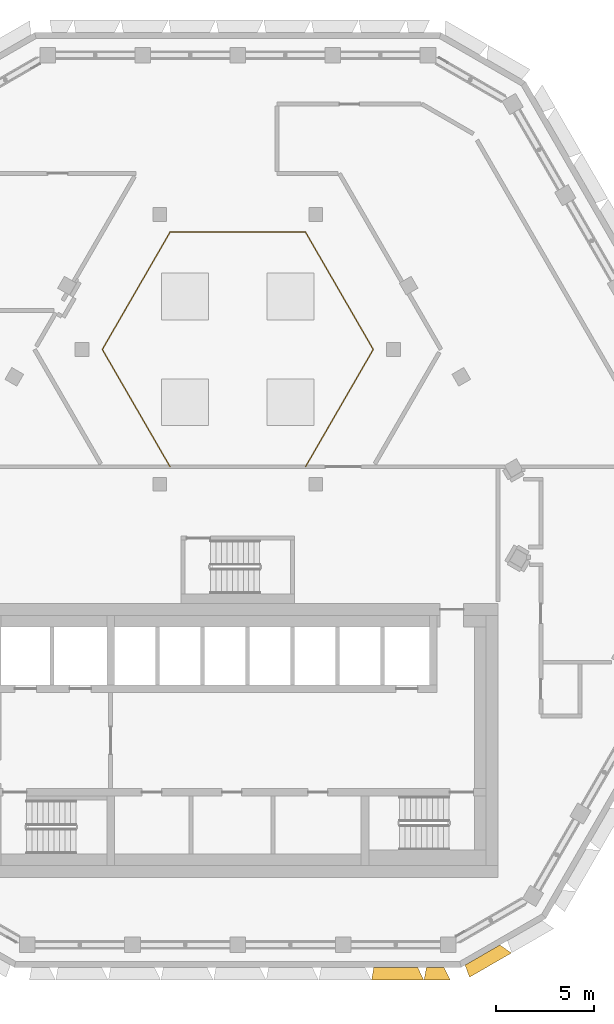
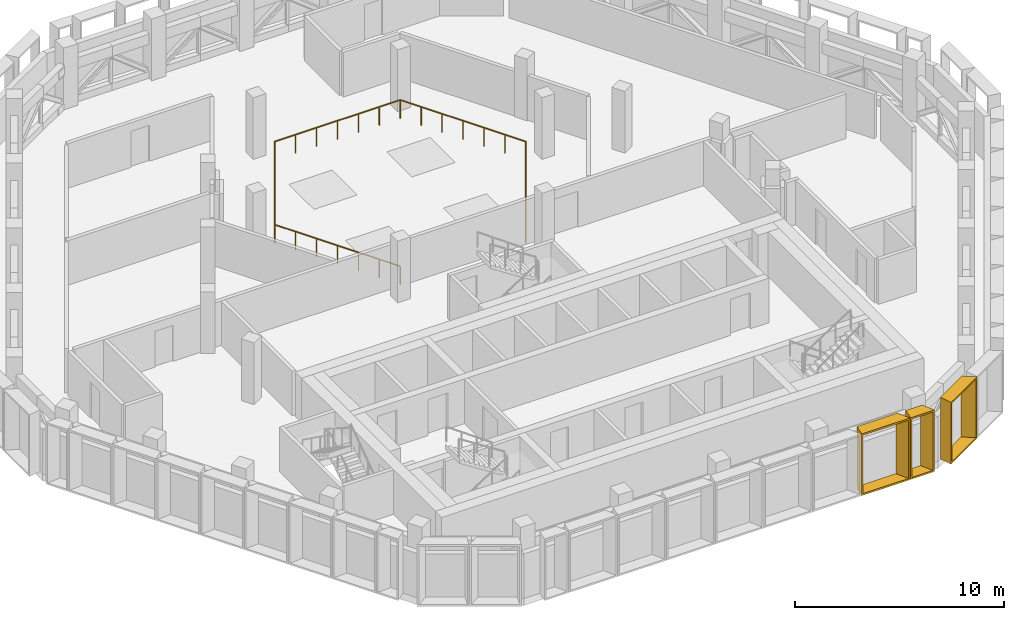
# One storey, part 22 of 24: 3 shading devices, 1 railing.
"""IFC4 building model written with IfcOpenShell, lengths in metres."""

from ifc_helpers import new_model, entity, si_unit, direction, frame, origin, origin_2d, place, context, subcontext, project, spatial, rectangle, extrude, source, transform, mapped, material, type_object, type_shapes, element, save


model = new_model("IFC4")

# Units and contexts
model_context = context("Model", 3, precision=1e-05, world=origin(), true_north=direction((0.0, 1.0)))
body_context = subcontext(model_context, "Body", "Model", "MODEL_VIEW")
ifc_project = project(units=[si_unit("LENGTHUNIT", "METRE"), si_unit("AREAUNIT", "SQUARE_METRE"), si_unit("VOLUMEUNIT", "CUBIC_METRE"), si_unit("PLANEANGLEUNIT", "RADIAN"), si_unit("MASSUNIT", "GRAM", prefix="KILO")], contexts=[model_context])

# Site, building, storey
site_placement = place(None, origin())
site = spatial("IfcSite", under=ifc_project, at=site_placement, CompositionType="ELEMENT")
building_placement = place(site_placement, origin())
building = spatial("IfcBuilding", under=site, at=building_placement, Name="Beryl Residences", CompositionType="ELEMENT")
storey_placement = place(building_placement, frame((0.0, 0.0, 199.199951171875)))
storey = spatial("IfcBuildingStorey", under=building, at=storey_placement, Name="L61", CompositionType="ELEMENT", Elevation=199.199951171875)

# Railing
ifc_material_1 = material(Name="Stainless steel balustrade with glass infill", Category="steel")
railing_type = type_object("IfcRailingType", Name="EG1 edge guard 1100 mm", PredefinedType="GUARDRAIL", material=ifc_material_1)
railing_placement = place(storey_placement, frame((3.464111328125, 2.0, 0.0)))
element("IfcRailing", 1, at=railing_placement, inside=storey, type_object=railing_type, Name="L61 guard 1", PredefinedType="GUARDRAIL", context=body_context, shape_type="SweptSolid", body=[
    extrude(rectangle(XDim=0.048095703125, YDim=0.048095703125, at=origin_2d()), frame((0.0, 0.0, 1.076171875), z_axis=(0.49997462182, 0.866040055388, 0.0), x_axis=(-0.866040055388, 0.49997462182, 0.0)), (0.0, 0.0, 1.0), 6.927978515625),
    extrude(rectangle(XDim=0.048095703125, YDim=0.048095703125, at=origin_2d()), frame((3.4638671875, 6.0, 1.076171875), z_axis=(-0.49997462182, 0.866040055388, 0.0), x_axis=(-0.866040055388, -0.49997462182, 0.0)), (0.0, 0.0, 1.0), 6.927978515625),
    extrude(rectangle(XDim=0.048095703125, YDim=0.048095703125, at=origin_2d()), frame((0.0, 12.0, 1.076171875), z_axis=(-1.0, 0.0, 0.0), x_axis=(0.0, -1.0, 0.0)), (0.0, 0.0, 1.0), 6.92822265625),
    extrude(rectangle(XDim=0.048095703125, YDim=0.048095703125, at=origin_2d()), frame((-6.92822265625, 12.0, 1.076171875), z_axis=(-0.49997462182, -0.866040055388, 0.0), x_axis=(0.866040055388, -0.49997462182, 0.0)), (0.0, 0.0, 1.0), 6.927978515625),
    extrude(rectangle(XDim=0.048095703125, YDim=0.048095703125, at=origin_2d()), frame((-10.39208984375, 6.0, 1.076171875), z_axis=(0.49997462182, -0.866040055388, 0.0), x_axis=(0.866040055388, 0.49997462182, 0.0)), (0.0, 0.0, 1.0), 6.927978515625),
    extrude(rectangle(XDim=0.0419921875, YDim=0.0419921875, at=origin_2d()), origin(), (0.0, 0.0, 1.0), 1.052001953125),
    extrude(rectangle(XDim=0.0419921875, YDim=0.0419921875, at=origin_2d()), frame((0.577392578125, 1.0, 0.0)), (0.0, 0.0, 1.0), 1.052001953125),
    extrude(rectangle(XDim=0.0419921875, YDim=0.0419921875, at=origin_2d()), frame((1.154541015625, 2.0, 0.0)), (0.0, 0.0, 1.0), 1.052001953125),
    extrude(rectangle(XDim=0.0419921875, YDim=0.0419921875, at=origin_2d()), frame((1.73193359375, 3.0, 0.0)), (0.0, 0.0, 1.0), 1.052001953125),
    extrude(rectangle(XDim=0.0419921875, YDim=0.0419921875, at=origin_2d()), frame((2.309326171875, 4.0, 0.0)), (0.0, 0.0, 1.0), 1.052001953125),
    extrude(rectangle(XDim=0.0419921875, YDim=0.0419921875, at=origin_2d()), frame((2.886474609375, 5.0, 0.0)), (0.0, 0.0, 1.0), 1.052001953125),
    extrude(rectangle(XDim=0.0419921875, YDim=0.0419921875, at=origin_2d()), frame((3.4638671875, 6.0, 0.0)), (0.0, 0.0, 1.0), 1.052001953125),
    extrude(rectangle(XDim=0.0419921875, YDim=0.0419921875, at=origin_2d()), frame((2.886474609375, 7.0, 0.0)), (0.0, 0.0, 1.0), 1.052001953125),
    extrude(rectangle(XDim=0.0419921875, YDim=0.0419921875, at=origin_2d()), frame((2.309326171875, 8.0, 0.0)), (0.0, 0.0, 1.0), 1.052001953125),
    extrude(rectangle(XDim=0.0419921875, YDim=0.0419921875, at=origin_2d()), frame((1.73193359375, 9.0, 0.0)), (0.0, 0.0, 1.0), 1.052001953125),
    extrude(rectangle(XDim=0.0419921875, YDim=0.0419921875, at=origin_2d()), frame((1.154541015625, 10.0, 0.0)), (0.0, 0.0, 1.0), 1.052001953125),
    extrude(rectangle(XDim=0.0419921875, YDim=0.0419921875, at=origin_2d()), frame((0.577392578125, 11.0, 0.0)), (0.0, 0.0, 1.0), 1.052001953125),
    extrude(rectangle(XDim=0.0419921875, YDim=0.0419921875, at=origin_2d()), frame((0.0, 12.0, 0.0)), (0.0, 0.0, 1.0), 1.052001953125),
    extrude(rectangle(XDim=0.0419921875, YDim=0.0419921875, at=origin_2d()), frame((-1.15478515625, 12.0, 0.0)), (0.0, 0.0, 1.0), 1.052001953125),
    extrude(rectangle(XDim=0.0419921875, YDim=0.0419921875, at=origin_2d()), frame((-2.309326171875, 12.0, 0.0)), (0.0, 0.0, 1.0), 1.052001953125),
    extrude(rectangle(XDim=0.0419921875, YDim=0.0419921875, at=origin_2d()), frame((-3.464111328125, 12.0, 0.0)), (0.0, 0.0, 1.0), 1.052001953125),
    extrude(rectangle(XDim=0.0419921875, YDim=0.0419921875, at=origin_2d()), frame((-4.618896484375, 12.0, 0.0)), (0.0, 0.0, 1.0), 1.052001953125),
    extrude(rectangle(XDim=0.0419921875, YDim=0.0419921875, at=origin_2d()), frame((-5.7734375, 12.0, 0.0)), (0.0, 0.0, 1.0), 1.052001953125),
    extrude(rectangle(XDim=0.0419921875, YDim=0.0419921875, at=origin_2d()), frame((-6.92822265625, 12.0, 0.0)), (0.0, 0.0, 1.0), 1.052001953125),
    extrude(rectangle(XDim=0.0419921875, YDim=0.0419921875, at=origin_2d()), frame((-7.505615234375, 11.0, 0.0)), (0.0, 0.0, 1.0), 1.052001953125),
    extrude(rectangle(XDim=0.0419921875, YDim=0.0419921875, at=origin_2d()), frame((-8.082763671875, 10.0, 0.0)), (0.0, 0.0, 1.0), 1.052001953125),
    extrude(rectangle(XDim=0.0419921875, YDim=0.0419921875, at=origin_2d()), frame((-8.66015625, 9.0, 0.0)), (0.0, 0.0, 1.0), 1.052001953125),
    extrude(rectangle(XDim=0.0419921875, YDim=0.0419921875, at=origin_2d()), frame((-9.237548828125, 8.0, 0.0)), (0.0, 0.0, 1.0), 1.052001953125),
    extrude(rectangle(XDim=0.0419921875, YDim=0.0419921875, at=origin_2d()), frame((-9.814697265625, 7.0, 0.0)), (0.0, 0.0, 1.0), 1.052001953125),
    extrude(rectangle(XDim=0.0419921875, YDim=0.0419921875, at=origin_2d()), frame((-10.39208984375, 6.0, 0.0)), (0.0, 0.0, 1.0), 1.052001953125),
    extrude(rectangle(XDim=0.0419921875, YDim=0.0419921875, at=origin_2d()), frame((-9.814697265625, 5.0, 0.0)), (0.0, 0.0, 1.0), 1.052001953125),
    extrude(rectangle(XDim=0.0419921875, YDim=0.0419921875, at=origin_2d()), frame((-9.237548828125, 4.0, 0.0)), (0.0, 0.0, 1.0), 1.052001953125),
    extrude(rectangle(XDim=0.0419921875, YDim=0.0419921875, at=origin_2d()), frame((-8.66015625, 3.0, 0.0)), (0.0, 0.0, 1.0), 1.052001953125),
    extrude(rectangle(XDim=0.0419921875, YDim=0.0419921875, at=origin_2d()), frame((-8.082763671875, 2.0, 0.0)), (0.0, 0.0, 1.0), 1.052001953125),
    extrude(rectangle(XDim=0.0419921875, YDim=0.0419921875, at=origin_2d()), frame((-7.505615234375, 1.0, 0.0)), (0.0, 0.0, 1.0), 1.052001953125),
    extrude(rectangle(XDim=0.0419921875, YDim=0.0419921875, at=origin_2d()), frame((-6.92822265625, 0.0, 0.0)), (0.0, 0.0, 1.0), 1.052001953125),
])

# Shading devices
ifc_material_2 = material(Name="Aluminium pale anodised", Category="aluminium")
shading_device_type_1 = type_object("IfcShadingDeviceType", Name="FR135-65C-H36 OUTER SKIN frame 650 mm deep, splay 10/26 deg, 1350 x 3600 mm cell", PredefinedType="USERDEFINED", material=ifc_material_2)
cartesian_point_1 = entity("IfcCartesianPoint", [-0.448974609375, 0.0])
cartesian_point_2 = entity("IfcCartesianPoint", [-0.36767578125, 0.10009765625])
cartesian_point_3 = entity("IfcCartesianPoint", [-0.563720703125, 0.0])
cartesian_point_4 = entity("IfcCartesianPoint", [-0.482421875, 0.10009765625])
shared_shape_1 = source(origin(), body_context, "Body", "SweptSolid", [
    entity("IfcExtrudedAreaSolidTapered", entity("IfcArbitraryProfileDefWithVoids", "AREA", None, entity("IfcPolyline", [cartesian_point_1, entity("IfcCartesianPoint", [0.448974609375, 0.0]), entity("IfcCartesianPoint", [0.448974609375, 3.60009765625]), entity("IfcCartesianPoint", [-0.448974609375, 3.60009765625]), cartesian_point_1]), [entity("IfcPolyline", [cartesian_point_2, entity("IfcCartesianPoint", [0.360107421875, 0.10009765625]), entity("IfcCartesianPoint", [0.360107421875, 3.5]), entity("IfcCartesianPoint", [-0.36767578125, 3.5]), cartesian_point_2])]), entity("IfcAxis2Placement3D", entity("IfcCartesianPoint", [0.0, 0.0, 0.0]), entity("IfcDirection", [0.0, 1.0, 0.0]), entity("IfcDirection", [-1.0, 0.0, 0.0])), entity("IfcDirection", [0.0, 0.0, 1.0]), 0.64990234375, entity("IfcArbitraryProfileDefWithVoids", "AREA", None, entity("IfcPolyline", [cartesian_point_3, entity("IfcCartesianPoint", [0.76611328125, 0.0]), entity("IfcCartesianPoint", [0.76611328125, 3.60009765625]), entity("IfcCartesianPoint", [-0.563720703125, 3.60009765625]), cartesian_point_3]), [entity("IfcPolyline", [cartesian_point_4, entity("IfcCartesianPoint", [0.677001953125, 0.10009765625]), entity("IfcCartesianPoint", [0.677001953125, 3.5]), entity("IfcCartesianPoint", [-0.482421875, 3.5]), cartesian_point_4])])),
])
type_shapes(shading_device_type_1, [shared_shape_1])
shading_device_1_placement = place(storey_placement, frame((10.095947265625, -23.60009765625, 0.0), z_axis=(0.0, 0.0, 1.0), x_axis=(-1.0, 0.0, 0.0)))
element("IfcShadingDevice", 2, at=shading_device_1_placement, inside=storey, type_object=shading_device_type_1, Name="FR135-65C-H36 frame L61 S 9", ObjectType="OUTER SKIN", PredefinedType="USERDEFINED", context=body_context, shape_type="MappedRepresentation", body=[
    mapped(shared_shape_1, transform((0.0, 0.0, 0.0))),
])
ifc_material_3 = material(Name="Aluminium pale anodised", Category="aluminium")
shading_device_type_2 = type_object("IfcShadingDeviceType", Name="FR250-65C-H36 OUTER SKIN frame 650 mm deep, splay 10/26 deg, 2500 x 3600 mm cell", PredefinedType="USERDEFINED", material=ifc_material_3)
cartesian_point_5 = entity("IfcCartesianPoint", [-1.02392578125, 0.0])
cartesian_point_6 = entity("IfcCartesianPoint", [-0.94287109375, 0.10009765625])
cartesian_point_7 = entity("IfcCartesianPoint", [-1.138671875, 0.0])
cartesian_point_8 = entity("IfcCartesianPoint", [-1.057373046875, 0.10009765625])
shared_shape_2 = source(origin(), body_context, "Body", "SweptSolid", [
    entity("IfcExtrudedAreaSolidTapered", entity("IfcArbitraryProfileDefWithVoids", "AREA", None, entity("IfcPolyline", [cartesian_point_5, entity("IfcCartesianPoint", [1.02392578125, 0.0]), entity("IfcCartesianPoint", [1.02392578125, 3.60009765625]), entity("IfcCartesianPoint", [-1.02392578125, 3.60009765625]), cartesian_point_5]), [entity("IfcPolyline", [cartesian_point_6, entity("IfcCartesianPoint", [0.93505859375, 0.10009765625]), entity("IfcCartesianPoint", [0.93505859375, 3.5]), entity("IfcCartesianPoint", [-0.94287109375, 3.5]), cartesian_point_6])]), entity("IfcAxis2Placement3D", entity("IfcCartesianPoint", [0.0, 0.0, 0.0]), entity("IfcDirection", [0.0, 1.0, 0.0]), entity("IfcDirection", [-1.0, 0.0, 0.0])), entity("IfcDirection", [0.0, 0.0, 1.0]), 0.64990234375, entity("IfcArbitraryProfileDefWithVoids", "AREA", None, entity("IfcPolyline", [cartesian_point_7, entity("IfcCartesianPoint", [1.341064453125, 0.0]), entity("IfcCartesianPoint", [1.341064453125, 3.60009765625]), entity("IfcCartesianPoint", [-1.138671875, 3.60009765625]), cartesian_point_7]), [entity("IfcPolyline", [cartesian_point_8, entity("IfcCartesianPoint", [1.251953125, 0.10009765625]), entity("IfcCartesianPoint", [1.251953125, 3.5]), entity("IfcCartesianPoint", [-1.057373046875, 3.5]), cartesian_point_8])])),
])
type_shapes(shading_device_type_2, [shared_shape_2])
shading_device_2_placement = place(storey_placement, frame((12.513916015625, -22.97509765625, 0.0), z_axis=(0.0, 0.0, 1.0), x_axis=(-0.866025403784, -0.5, 0.0)))
element("IfcShadingDevice", 3, at=shading_device_2_placement, inside=storey, type_object=shading_device_type_2, Name="FR250-65C-H36 frame L61 S-SE 1", ObjectType="OUTER SKIN", PredefinedType="USERDEFINED", context=body_context, shape_type="MappedRepresentation", body=[
    mapped(shared_shape_2, transform((0.0, 0.0, 0.0))),
])
ifc_material_4 = material(Name="Aluminium pale anodised", Category="aluminium")
shading_device_type_3 = type_object("IfcShadingDeviceType", Name="FR269-65C-H36 OUTER SKIN frame 650 mm deep, splay 10/26 deg, 2690 x 3600 mm cell", PredefinedType="USERDEFINED", material=ifc_material_4)
cartesian_point_9 = entity("IfcCartesianPoint", [-1.118896484375, 0.0])
cartesian_point_10 = entity("IfcCartesianPoint", [-1.037841796875, 0.10009765625])
cartesian_point_11 = entity("IfcCartesianPoint", [-1.233642578125, 0.0])
cartesian_point_12 = entity("IfcCartesianPoint", [-1.15234375, 0.10009765625])
shared_shape_3 = source(origin(), body_context, "Body", "SweptSolid", [
    entity("IfcExtrudedAreaSolidTapered", entity("IfcArbitraryProfileDefWithVoids", "AREA", None, entity("IfcPolyline", [cartesian_point_9, entity("IfcCartesianPoint", [1.118896484375, 0.0]), entity("IfcCartesianPoint", [1.118896484375, 3.60009765625]), entity("IfcCartesianPoint", [-1.118896484375, 3.60009765625]), cartesian_point_9]), [entity("IfcPolyline", [cartesian_point_10, entity("IfcCartesianPoint", [1.030029296875, 0.10009765625]), entity("IfcCartesianPoint", [1.030029296875, 3.5]), entity("IfcCartesianPoint", [-1.037841796875, 3.5]), cartesian_point_10])]), entity("IfcAxis2Placement3D", entity("IfcCartesianPoint", [0.0, 0.0, 0.0]), entity("IfcDirection", [0.0, 1.0, 0.0]), entity("IfcDirection", [-1.0, 0.0, 0.0])), entity("IfcDirection", [0.0, 0.0, 1.0]), 0.64990234375, entity("IfcArbitraryProfileDefWithVoids", "AREA", None, entity("IfcPolyline", [cartesian_point_11, entity("IfcCartesianPoint", [1.43603515625, 0.0]), entity("IfcCartesianPoint", [1.43603515625, 3.60009765625]), entity("IfcCartesianPoint", [-1.233642578125, 3.60009765625]), cartesian_point_11]), [entity("IfcPolyline", [cartesian_point_12, entity("IfcCartesianPoint", [1.346923828125, 0.10009765625]), entity("IfcCartesianPoint", [1.346923828125, 3.5]), entity("IfcCartesianPoint", [-1.15234375, 3.5]), cartesian_point_12])])),
])
type_shapes(shading_device_type_3, [shared_shape_3])
shading_device_3_placement = place(storey_placement, frame((8.076904296875, -23.60009765625, 0.0), z_axis=(0.0, 0.0, 1.0), x_axis=(-1.0, 0.0, 0.0)))
element("IfcShadingDevice", 4, at=shading_device_3_placement, inside=storey, type_object=shading_device_type_3, Name="FR269-65C-H36 frame L61 S 8", ObjectType="OUTER SKIN", PredefinedType="USERDEFINED", context=body_context, shape_type="MappedRepresentation", body=[
    mapped(shared_shape_3, transform((0.0, 0.0, 0.0))),
])

save(model, "model.ifc")
